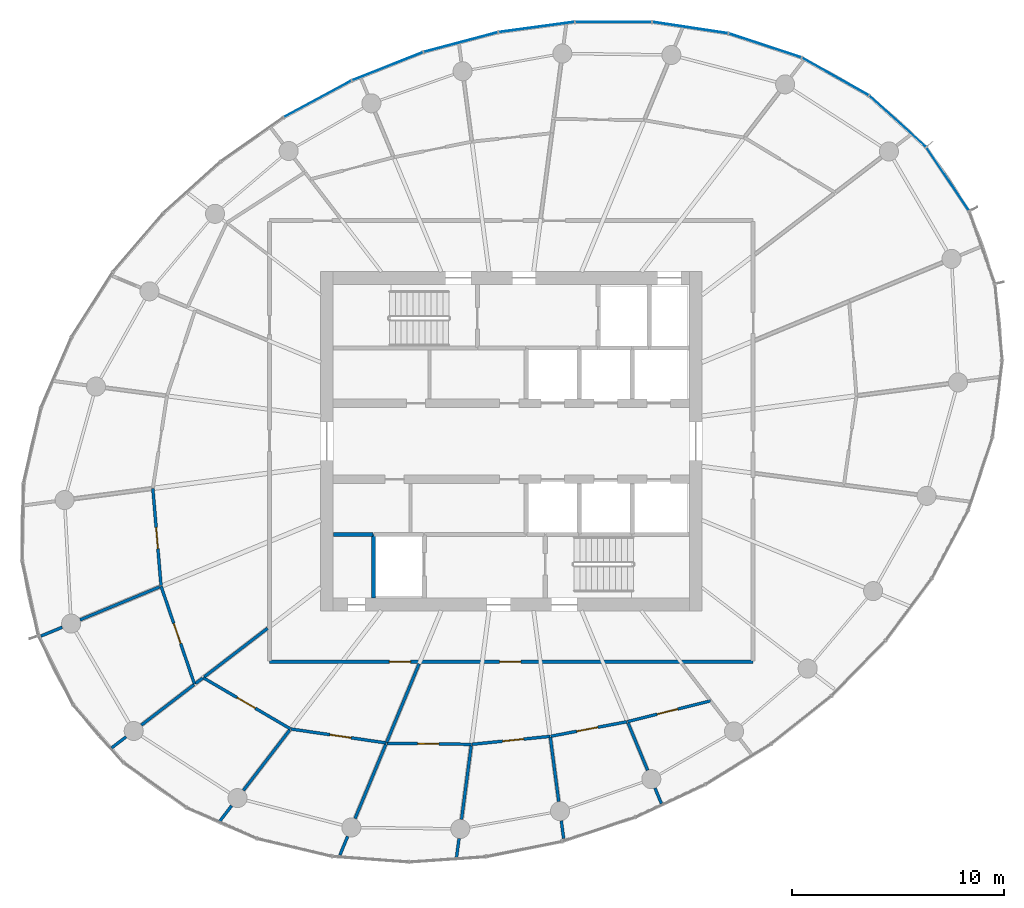
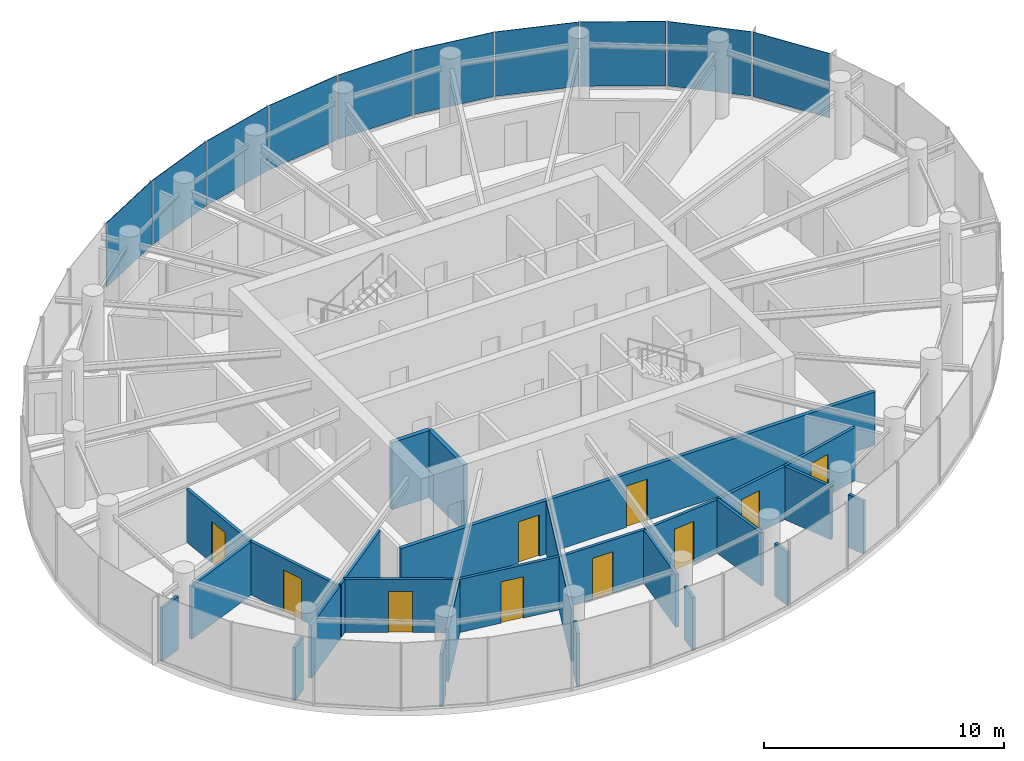
# One storey, part 8 of 14: 28 walls, 10 doors, 10 plates, 10 openings, 2 elements without a shape of their own.
"""IFC4 building model written with IfcOpenShell, lengths in metres."""

from ifc_helpers import new_model, si_unit, direction, frame, frame_2d, origin, origin_2d, place, context, subcontext, project, spatial, rectangle, extrude, source, transform, mapped, material, layer, layer_set, type_object, element, fill, aggregate, save


model = new_model("IFC4")

# Units and contexts
model_context = context("Model", 3, precision=1e-05, world=origin(), true_north=direction((0.0, 1.0)))
body_context = subcontext(model_context, "Body", "Model", "MODEL_VIEW")
ifc_project = project(units=[si_unit("LENGTHUNIT", "METRE"), si_unit("AREAUNIT", "SQUARE_METRE"), si_unit("VOLUMEUNIT", "CUBIC_METRE"), si_unit("PLANEANGLEUNIT", "RADIAN"), si_unit("MASSUNIT", "GRAM", prefix="KILO")], contexts=[model_context])

# Site, building, storey
site_placement = place(None, origin())
site = spatial("IfcSite", under=ifc_project, at=site_placement, CompositionType="ELEMENT")
building_placement = place(site_placement, origin())
building = spatial("IfcBuilding", under=site, at=building_placement, Name="Spindrift Exchange Tower", CompositionType="ELEMENT")
storey_placement = place(building_placement, frame((0.0, 0.0, 226.699951171875)))
storey = spatial("IfcBuildingStorey", under=building, at=storey_placement, Name="L55", CompositionType="ELEMENT", Elevation=226.699951171875)

# Curtain wall, plates
ifc_material_1 = material(Name="Fritted laminated glass with bronze frame", Category="glass")
ifc_layer_1 = layer(ifc_material_1, 0.169921875)
ifc_layer_set_1 = layer_set([ifc_layer_1], Name="ZONE 4 BRONZE FRITTED WALL")
curtain_wall_type = type_object("IfcCurtainWallType", Name="ZONE 4 BRONZE FRITTED WALL", PredefinedType="NOTDEFINED", material=ifc_layer_set_1)
curtain_wall_1_placement = place(storey_placement, origin())
curtain_wall_1 = element("IfcCurtainWall", 1, at=curtain_wall_1_placement, inside=storey, type_object=curtain_wall_type, Name="L55 Zone 4 Bronze Fritted Wall run 1", PredefinedType="NOTDEFINED")
ifc_material_2 = material(Name="Bronze fritted laminated glass, open frit", Category="glass")
ifc_layer_2 = layer(ifc_material_2, 0.030029296875)
ifc_layer_set_2 = layer_set([ifc_layer_2], Name="ZONE 4 BRONZE FRITTED WALL PANEL OPEN FRIT 600")
plate_type_1 = type_object("IfcPlateType", Name="ZONE 4 BRONZE FRITTED WALL PANEL OPEN FRIT 600", PredefinedType="CURTAIN_PANEL", material=ifc_layer_set_2)
shared_shape_1 = source(origin(), body_context, "Body", "SweptSolid", [
    extrude(rectangle(XDim=3.5703125, YDim=0.030029296875, at=origin_2d()), origin(), (0.0, 0.0, 1.0), 3.27490234375),
])
plate_1_placement = place(storey_placement, frame((72.57421875, 60.354736328125, 0.125), z_axis=(0.0, 0.0, 1.0), x_axis=(-0.558199899642, 0.829706497527, 0.0)))
plate_1 = element("IfcPlate", 2, at=plate_1_placement, type_object=plate_type_1, Name="L55 panel CW-4.1", PredefinedType="CURTAIN_PANEL", context=body_context, shape_type="MappedRepresentation", body=[
    mapped(shared_shape_1, transform((0.0, 0.0, 0.0), scale=1.0)),
])
shared_shape_2 = source(origin(), body_context, "Body", "SweptSolid", [
    extrude(rectangle(XDim=3.571533203125, YDim=0.030029296875, at=origin_2d()), origin(), (0.0, 0.0, 1.0), 3.27490234375),
])
plate_2_placement = place(storey_placement, frame((70.210205078125, 63.081298828125, 0.125), z_axis=(0.0, 0.0, 1.0), x_axis=(-0.742225024234, 0.670150739312, 0.0)))
plate_2 = element("IfcPlate", 3, at=plate_2_placement, type_object=plate_type_1, Name="L55 panel CW-4.2", PredefinedType="CURTAIN_PANEL", context=body_context, shape_type="MappedRepresentation", body=[
    mapped(shared_shape_2, transform((0.0, 0.0, 0.0), scale=1.0)),
])
ifc_layer_3 = layer(ifc_material_2, 0.030029296875)
ifc_layer_set_3 = layer_set([ifc_layer_3], Name="ZONE 4 BRONZE FRITTED WALL PANEL OPEN FRIT 480")
plate_type_2 = type_object("IfcPlateType", Name="ZONE 4 BRONZE FRITTED WALL PANEL OPEN FRIT 480", PredefinedType="CURTAIN_PANEL", material=ifc_layer_set_3)
shared_shape_3 = source(origin(), body_context, "Body", "SweptSolid", [
    extrude(rectangle(XDim=3.573486328125, YDim=0.030029296875, at=origin_2d()), origin(), (0.0, 0.0, 1.0), 3.27490234375),
])
plate_3_placement = place(storey_placement, frame((67.275634765625, 65.19287109375, 0.125), z_axis=(0.0, 0.0, 1.0), x_axis=(-0.871230946363, 0.490873342217, 0.0)))
plate_3 = element("IfcPlate", 4, at=plate_3_placement, type_object=plate_type_2, Name="L55 panel CW-4.3", PredefinedType="CURTAIN_PANEL", context=body_context, shape_type="MappedRepresentation", body=[
    mapped(shared_shape_3, transform((0.0, 0.0, 0.0), scale=1.0)),
])
shared_shape_4 = source(origin(), body_context, "Body", "SweptSolid", [
    extrude(rectangle(XDim=3.574951171875, YDim=0.030029296875, at=origin_2d()), origin(), (0.0, 0.0, 1.0), 3.27490234375),
])
plate_4_placement = place(storey_placement, frame((63.962646484375, 66.656494140625, 0.125), z_axis=(0.0, 0.0, 1.0), x_axis=(-0.949561297713, 0.313581475672, 0.0)))
plate_4 = element("IfcPlate", 5, at=plate_4_placement, type_object=plate_type_1, Name="L55 panel CW-4.4", PredefinedType="CURTAIN_PANEL", context=body_context, shape_type="MappedRepresentation", body=[
    mapped(shared_shape_4, transform((0.0, 0.0, 0.0), scale=1.0)),
])
ifc_layer_4 = layer(ifc_material_2, 0.030029296875)
ifc_layer_set_4 = layer_set([ifc_layer_4], Name="ZONE 4 BRONZE FRITTED WALL PANEL OPEN FRIT 360")
plate_type_3 = type_object("IfcPlateType", Name="ZONE 4 BRONZE FRITTED WALL PANEL OPEN FRIT 360", PredefinedType="CURTAIN_PANEL", material=ifc_layer_set_4)
shared_shape_5 = source(origin(), body_context, "Body", "SweptSolid", [
    extrude(rectangle(XDim=3.576171875, YDim=0.030029296875, at=origin_2d()), origin(), (0.0, 0.0, 1.0), 3.27490234375),
])
plate_5_placement = place(storey_placement, frame((60.43408203125, 67.498779296875, 0.125), z_axis=(0.0, 0.0, 1.0), x_axis=(-0.98881346528, 0.149157403039, 0.0)))
plate_5 = element("IfcPlate", 6, at=plate_5_placement, type_object=plate_type_3, Name="L55 panel CW-4.5", PredefinedType="CURTAIN_PANEL", context=body_context, shape_type="MappedRepresentation", body=[
    mapped(shared_shape_5, transform((0.0, 0.0, 0.0), scale=1.0)),
])
shared_shape_6 = source(origin(), body_context, "Body", "SweptSolid", [
    extrude(rectangle(XDim=3.576904296875, YDim=0.030029296875, at=origin_2d()), origin(), (0.0, 0.0, 1.0), 3.27490234375),
])
plate_6_placement = place(storey_placement, frame((56.81298828125, 67.77099609375, 0.125), z_axis=(0.0, 0.0, 1.0), x_axis=(-0.999999935992, 0.000357792489, 0.0)))
plate_6 = element("IfcPlate", 7, at=plate_6_placement, type_object=plate_type_1, Name="L55 panel CW-4.6", PredefinedType="CURTAIN_PANEL", context=body_context, shape_type="MappedRepresentation", body=[
    mapped(shared_shape_6, transform((0.0, 0.0, 0.0), scale=1.0)),
])
aggregate(curtain_wall_1, [plate_1, plate_2, plate_3, plate_4, plate_5, plate_6])

curtain_wall_2_placement = place(storey_placement, origin())
curtain_wall_2 = element("IfcCurtainWall", 8, at=curtain_wall_2_placement, inside=storey, type_object=curtain_wall_type, Name="L55 Zone 4 Bronze Fritted Wall run 2", PredefinedType="NOTDEFINED")
shared_shape_7 = source(origin(), body_context, "Body", "SweptSolid", [
    extrude(rectangle(XDim=3.577392578125, YDim=0.030029296875, at=origin_2d()), origin(), (0.0, 0.0, 1.0), 3.27490234375),
])
plate_7_placement = place(storey_placement, frame((53.1875, 67.527587890625, 0.125), z_axis=(0.0, 0.0, 1.0), x_axis=(-0.990973141374, -0.134060557495, 0.0)))
plate_7 = element("IfcPlate", 9, at=plate_7_placement, type_object=plate_type_3, Name="L55 panel CW-4.7", PredefinedType="CURTAIN_PANEL", context=body_context, shape_type="MappedRepresentation", body=[
    mapped(shared_shape_7, transform((0.0, 0.0, 0.0), scale=1.0)),
])
shared_shape_8 = source(origin(), body_context, "Body", "SweptSolid", [
    extrude(rectangle(XDim=3.57763671875, YDim=0.030029296875, at=origin_2d()), origin(), (0.0, 0.0, 1.0), 3.27490234375),
])
plate_8_placement = place(storey_placement, frame((49.622314453125, 66.816162109375, 0.125), z_axis=(0.0, 0.0, 1.0), x_axis=(-0.966560727394, -0.256437829228, 0.0)))
plate_8 = element("IfcPlate", 10, at=plate_8_placement, type_object=plate_type_3, Name="L55 panel CW-4.8", PredefinedType="CURTAIN_PANEL", context=body_context, shape_type="MappedRepresentation", body=[
    mapped(shared_shape_8, transform((0.0, 0.0, 0.0), scale=1.0)),
])
shared_shape_9 = source(origin(), body_context, "Body", "SweptSolid", [
    extrude(rectangle(XDim=3.577880859375, YDim=0.030029296875, at=origin_2d()), origin(), (0.0, 0.0, 1.0), 3.27490234375),
])
plate_9_placement = place(storey_placement, frame((46.169189453125, 65.676513671875, 0.125), z_axis=(0.0, 0.0, 1.0), x_axis=(-0.929331843322, -0.36924561607, 0.0)))
plate_9 = element("IfcPlate", 11, at=plate_9_placement, type_object=plate_type_2, Name="L55 panel CW-4.9", PredefinedType="CURTAIN_PANEL", context=body_context, shape_type="MappedRepresentation", body=[
    mapped(shared_shape_9, transform((0.0, 0.0, 0.0), scale=1.0)),
])
shared_shape_10 = source(origin(), body_context, "Body", "SweptSolid", [
    extrude(rectangle(XDim=3.577880859375, YDim=0.030029296875, at=origin_2d()), origin(), (0.0, 0.0, 1.0), 3.27490234375),
])
plate_10_placement = place(storey_placement, frame((42.873291015625, 64.139404296875, 0.125), z_axis=(0.0, 0.0, 1.0), x_axis=(-0.880140363307, -0.474713535596, 0.0)))
plate_10 = element("IfcPlate", 12, at=plate_10_placement, type_object=plate_type_1, Name="L55 panel CW-4.10", PredefinedType="CURTAIN_PANEL", context=body_context, shape_type="MappedRepresentation", body=[
    mapped(shared_shape_10, transform((0.0, 0.0, 0.0), scale=1.0)),
])
aggregate(curtain_wall_2, [plate_7, plate_8, plate_9, plate_10])

# Wall, openings, doors
ifc_material_3 = material(Name="Fire-rated plasterboard partition", Category="gypsum")
ifc_layer_5 = layer(ifc_material_3, 0.179931640625)
ifc_layer_set_5 = layer_set([ifc_layer_5], Name="W-CORR-180")
wall_type_1 = type_object("IfcWallType", Name="W-CORR-180", PredefinedType="PARTITIONING", material=ifc_layer_set_5)
wall_1_placement = place(storey_placement, frame((63.39990234375, 37.60009765625, 0.0), z_axis=(0.0, 0.0, 1.0), x_axis=(-1.0, 0.0, 0.0)))
wall_1 = element("IfcWall", 13, at=wall_1_placement, inside=storey, type_object=wall_type_1, Name="L55 Partition wall 28", PredefinedType="PARTITIONING", context=body_context, shape_type="SweptSolid", body=[
    extrude(rectangle(XDim=22.7998046875, YDim=0.179931640625, at=frame_2d((11.39990234375, 0.0))), origin(), (0.0, 0.0, 1.0), 2.699951171875),
])
opening_1_placement = place(wall_1_placement, frame((16.14990234375, 0.0, 0.0)))
opening_1 = element("IfcOpeningElement", 14, at=opening_1_placement, cuts=wall_1, Name="Opening L55-D26", PredefinedType="OPENING", context=body_context, shape_type="SweptSolid", body=[
    extrude(rectangle(XDim=1.0, YDim=2.10009765625, at=frame_2d((0.5, 1.050048828125))), frame((0.0, 0.099853515625, 0.0), z_axis=(0.0, -1.0, 0.0), x_axis=(1.0, 0.0, 0.0)), (0.0, 0.0, 1.0), 0.199951171875),
])
opening_2_placement = place(wall_1_placement, frame((10.949951171875, 0.0, 0.0)))
opening_2 = element("IfcOpeningElement", 15, at=opening_2_placement, cuts=wall_1, Name="Opening L55-D29", PredefinedType="OPENING", context=body_context, shape_type="SweptSolid", body=[
    extrude(rectangle(XDim=1.0, YDim=2.10009765625, at=frame_2d((0.5, 1.050048828125))), frame((0.0, 0.099853515625, 0.0), z_axis=(0.0, -1.0, 0.0), x_axis=(1.0, 0.0, 0.0)), (0.0, 0.0, 1.0), 0.199951171875),
])
ifc_material_4 = material(Name="Timber-core fire door", Category="wood")
door_type = type_object("IfcDoorType", Name="DR-ROOM-1000", OperationType="NOTDEFINED", PredefinedType="DOOR", material=ifc_material_4)
shared_shape_11 = source(origin(), body_context, "Body", "SweptSolid", [
    extrude(rectangle(XDim=1.0, YDim=2.10009765625, at=frame_2d((0.5, 1.050048828125))), frame((0.0, 0.02490234375, 0.0), z_axis=(0.0, -1.0, 0.0), x_axis=(1.0, 0.0, 0.0)), (0.0, 0.0, 1.0), 0.050048828125),
])
door_1_placement = place(opening_1_placement, origin())
door_1 = element("IfcDoor", 16, at=door_1_placement, inside=storey, type_object=door_type, Name="L55 Door 26", OperationType="SINGLE_SWING_RIGHT", OverallHeight=2.10009765625, OverallWidth=1.0, PredefinedType="DOOR", context=body_context, shape_type="MappedRepresentation", body=[
    mapped(shared_shape_11, transform((0.0, 0.0, 0.0), scale=1.0)),
])
fill(opening_1, door_1)
door_2_placement = place(opening_2_placement, origin())
door_2 = element("IfcDoor", 17, at=door_2_placement, inside=storey, type_object=door_type, Name="L55 Door 29", OperationType="SINGLE_SWING_LEFT", OverallHeight=2.10009765625, OverallWidth=1.0, PredefinedType="DOOR", context=body_context, shape_type="MappedRepresentation", body=[
    mapped(shared_shape_11, transform((0.0, 0.0, 0.0), scale=1.0)),
])
fill(opening_2, door_2)

# Wall, opening, door
ifc_layer_6 = layer(ifc_material_3, 0.139892578125)
ifc_layer_set_6 = layer_set([ifc_layer_6], Name="W-PART-140")
wall_type_2 = type_object("IfcWallType", Name="W-PART-140", PredefinedType="PARTITIONING", material=ifc_layer_set_6)
wall_2_placement = place(storey_placement, frame((37.066162109375, 36.541015625, 0.0), z_axis=(0.0, 0.0, 1.0), x_axis=(-0.323330654383, 0.946286049742, 0.0)))
wall_2 = element("IfcWall", 18, at=wall_2_placement, inside=storey, type_object=wall_type_2, Name="L55 Partition wall 33", PredefinedType="PARTITIONING", context=body_context, shape_type="SweptSolid", body=[
    extrude(rectangle(XDim=4.881591796875, YDim=0.139892578125, at=frame_2d((2.44091796875, 0.0))), origin(), (0.0, 0.0, 1.0), 2.699951171875),
])
opening_3_placement = place(wall_2_placement, frame((2.03173828125, 0.0, 0.0)))
opening_3 = element("IfcOpeningElement", 19, at=opening_3_placement, cuts=wall_2, Name="Opening L55-D25", PredefinedType="OPENING", context=body_context, shape_type="SweptSolid", body=[
    extrude(rectangle(XDim=1.0, YDim=2.10009765625, at=frame_2d((0.5, 1.050048828125))), frame((0.0, 0.079833984375, 0.0), z_axis=(0.0, -1.0, 0.0), x_axis=(1.0, 0.0, 0.0)), (0.0, 0.0, 1.0), 0.159912109375),
])
door_3_placement = place(opening_3_placement, origin())
door_3 = element("IfcDoor", 20, at=door_3_placement, inside=storey, type_object=door_type, Name="L55 Door 25", OperationType="SINGLE_SWING_LEFT", OverallHeight=2.10009765625, OverallWidth=1.0, PredefinedType="DOOR", context=body_context, shape_type="MappedRepresentation", body=[
    mapped(shared_shape_11, transform((0.0, 0.0, 0.0), scale=1.0)),
])
fill(opening_3, door_3)

wall_3_placement = place(storey_placement, frame((41.591796875, 34.435791015625, 0.0), z_axis=(0.0, 0.0, 1.0), x_axis=(-0.862711041689, 0.505697200455, 0.0)))
wall_3 = element("IfcWall", 21, at=wall_3_placement, inside=storey, type_object=wall_type_2, Name="L55 Partition wall 36", PredefinedType="PARTITIONING", context=body_context, shape_type="SweptSolid", body=[
    extrude(rectangle(XDim=4.776611328125, YDim=0.139892578125, at=frame_2d((2.38818359375, 0.0))), origin(), (0.0, 0.0, 1.0), 2.699951171875),
])
opening_4_placement = place(wall_3_placement, frame((1.9267578125, 0.0, 0.0)))
opening_4 = element("IfcOpeningElement", 22, at=opening_4_placement, cuts=wall_3, Name="Opening L55-D27", PredefinedType="OPENING", context=body_context, shape_type="SweptSolid", body=[
    extrude(rectangle(XDim=1.0, YDim=2.10009765625, at=frame_2d((0.5, 1.050048828125))), frame((0.0, 0.079833984375, 0.0), z_axis=(0.0, -1.0, 0.0), x_axis=(1.0, 0.0, 0.0)), (0.0, 0.0, 1.0), 0.159912109375),
])
door_4_placement = place(opening_4_placement, origin())
door_4 = element("IfcDoor", 23, at=door_4_placement, inside=storey, type_object=door_type, Name="L55 Door 27", OperationType="SINGLE_SWING_LEFT", OverallHeight=2.10009765625, OverallWidth=1.0, PredefinedType="DOOR", context=body_context, shape_type="MappedRepresentation", body=[
    mapped(shared_shape_11, transform((0.0, 0.0, 0.0), scale=1.0)),
])
fill(opening_4, door_4)

wall_4_placement = place(storey_placement, frame((35.4853515625, 41.190185546875, 0.0), z_axis=(0.0, 0.0, 1.0), x_axis=(-0.083840307862, 0.996479203384, 0.0)))
wall_4 = element("IfcWall", 24, at=wall_4_placement, inside=storey, type_object=wall_type_2, Name="L55 Partition wall 38", PredefinedType="PARTITIONING", context=body_context, shape_type="SweptSolid", body=[
    extrude(rectangle(XDim=4.600830078125, YDim=0.139892578125, at=frame_2d((2.30029296875, 0.0))), origin(), (0.0, 0.0, 1.0), 2.699951171875),
])
opening_5_placement = place(wall_4_placement, frame((1.7509765625, 0.0, 0.0)))
opening_5 = element("IfcOpeningElement", 25, at=opening_5_placement, cuts=wall_4, Name="Opening L55-D24", PredefinedType="OPENING", context=body_context, shape_type="SweptSolid", body=[
    extrude(rectangle(XDim=1.0, YDim=2.10009765625, at=frame_2d((0.5, 1.050048828125))), frame((0.0, 0.079833984375, 0.0), z_axis=(0.0, -1.0, 0.0), x_axis=(1.0, 0.0, 0.0)), (0.0, 0.0, 1.0), 0.159912109375),
])
door_5_placement = place(opening_5_placement, origin())
door_5 = element("IfcDoor", 26, at=door_5_placement, inside=storey, type_object=door_type, Name="L55 Door 24", OperationType="SINGLE_SWING_RIGHT", OverallHeight=2.10009765625, OverallWidth=1.0, PredefinedType="DOOR", context=body_context, shape_type="MappedRepresentation", body=[
    mapped(shared_shape_11, transform((0.0, 0.0, 0.0), scale=1.0)),
])
fill(opening_5, door_5)

wall_5_placement = place(storey_placement, frame((46.107421875, 33.773681640625, 0.0), z_axis=(0.0, 0.0, 1.0), x_axis=(-0.989422644007, 0.145061474991, 0.0)))
wall_5 = element("IfcWall", 27, at=wall_5_placement, inside=storey, type_object=wall_type_2, Name="L55 Partition wall 39", PredefinedType="PARTITIONING", context=body_context, shape_type="SweptSolid", body=[
    extrude(rectangle(XDim=4.533935546875, YDim=0.139892578125, at=frame_2d((2.26708984375, 0.0))), origin(), (0.0, 0.0, 1.0), 2.699951171875),
])
opening_6_placement = place(wall_5_placement, frame((1.683837890625, 0.0, 0.0)))
opening_6 = element("IfcOpeningElement", 28, at=opening_6_placement, cuts=wall_5, Name="Opening L55-D28", PredefinedType="OPENING", context=body_context, shape_type="SweptSolid", body=[
    extrude(rectangle(XDim=1.0, YDim=2.10009765625, at=frame_2d((0.5, 1.050048828125))), frame((0.0, 0.079833984375, 0.0), z_axis=(0.0, -1.0, 0.0), x_axis=(1.0, 0.0, 0.0)), (0.0, 0.0, 1.0), 0.159912109375),
])
door_6_placement = place(opening_6_placement, origin())
door_6 = element("IfcDoor", 29, at=door_6_placement, inside=storey, type_object=door_type, Name="L55 Door 28", OperationType="SINGLE_SWING_RIGHT", OverallHeight=2.10009765625, OverallWidth=1.0, PredefinedType="DOOR", context=body_context, shape_type="MappedRepresentation", body=[
    mapped(shared_shape_11, transform((0.0, 0.0, 0.0), scale=1.0)),
])
fill(opening_6, door_6)

# Walls
wall_6_placement = place(storey_placement, frame((47.65478515625, 37.510009765625, 0.0), z_axis=(0.0, 0.0, 1.0), x_axis=(-0.382636499574, -0.923898971313, 0.0)))
element("IfcWall", 30, at=wall_6_placement, inside=storey, type_object=wall_type_2, Name="L55 Partition wall 50", PredefinedType="PARTITIONING", context=body_context, shape_type="SweptSolid", body=[
    extrude(rectangle(XDim=4.013916015625, YDim=0.139892578125, at=frame_2d((2.0068359375, 0.0))), origin(), (0.0, 0.0, 1.0), 2.699951171875),
])
wall_7_placement = place(storey_placement, frame((35.423095703125, 41.133544921875, 0.0), z_axis=(0.0, 0.0, 1.0), x_axis=(-0.923885083547, -0.382670030705, 0.0)))
element("IfcWall", 31, at=wall_7_placement, inside=storey, type_object=wall_type_2, Name="L55 Partition wall 51", PredefinedType="PARTITIONING", context=body_context, shape_type="SweptSolid", body=[
    extrude(rectangle(XDim=4.065185546875, YDim=0.139892578125, at=frame_2d((2.03271484375, 0.0))), origin(), (0.0, 0.0, 1.0), 2.699951171875),
])

# Wall, opening, door
wall_8_placement = place(storey_placement, frame((61.39208984375, 35.760009765625, 0.0), z_axis=(0.0, 0.0, 1.0), x_axis=(-0.970103355672, -0.242692149262, 0.0)))
wall_8 = element("IfcWall", 32, at=wall_8_placement, inside=storey, type_object=wall_type_2, Name="L55 Partition wall 53", PredefinedType="PARTITIONING", context=body_context, shape_type="SweptSolid", body=[
    extrude(rectangle(XDim=4.036865234375, YDim=0.139892578125, at=frame_2d((2.0185546875, 0.0))), origin(), (0.0, 0.0, 1.0), 2.699951171875),
])
opening_7_placement = place(wall_8_placement, frame((1.587158203125, 0.0, 0.0)))
opening_7 = element("IfcOpeningElement", 33, at=opening_7_placement, cuts=wall_8, Name="Opening L55-D33", PredefinedType="OPENING", context=body_context, shape_type="SweptSolid", body=[
    extrude(rectangle(XDim=1.0, YDim=2.10009765625, at=frame_2d((0.5, 1.050048828125))), frame((0.0, 0.079833984375, 0.0), z_axis=(0.0, -1.0, 0.0), x_axis=(1.0, 0.0, 0.0)), (0.0, 0.0, 1.0), 0.159912109375),
])
door_7_placement = place(opening_7_placement, origin())
door_7 = element("IfcDoor", 34, at=door_7_placement, inside=storey, type_object=door_type, Name="L55 Door 33", OperationType="SINGLE_SWING_LEFT", OverallHeight=2.10009765625, OverallWidth=1.0, PredefinedType="DOOR", context=body_context, shape_type="MappedRepresentation", body=[
    mapped(shared_shape_11, transform((0.0, 0.0, 0.0), scale=1.0)),
])
fill(opening_7, door_7)

wall_9_placement = place(storey_placement, frame((50.118408203125, 33.708251953125, 0.0), z_axis=(0.0, 0.0, 1.0), x_axis=(-0.999921931992, 0.012495195965, 0.0)))
wall_9 = element("IfcWall", 35, at=wall_9_placement, inside=storey, type_object=wall_type_2, Name="L55 Partition wall 54", PredefinedType="PARTITIONING", context=body_context, shape_type="SweptSolid", body=[
    extrude(rectangle(XDim=3.98583984375, YDim=0.139892578125, at=frame_2d((1.992919921875, 0.0))), origin(), (0.0, 0.0, 1.0), 2.699951171875),
])
opening_8_placement = place(wall_9_placement, frame((1.535888671875, 0.0, 0.0)))
opening_8 = element("IfcOpeningElement", 36, at=opening_8_placement, cuts=wall_9, Name="Opening L55-D30", PredefinedType="OPENING", context=body_context, shape_type="SweptSolid", body=[
    extrude(rectangle(XDim=1.0, YDim=2.10009765625, at=frame_2d((0.5, 1.050048828125))), frame((0.0, 0.079833984375, 0.0), z_axis=(0.0, -1.0, 0.0), x_axis=(1.0, 0.0, 0.0)), (0.0, 0.0, 1.0), 0.159912109375),
])
door_8_placement = place(opening_8_placement, origin())
door_8 = element("IfcDoor", 37, at=door_8_placement, inside=storey, type_object=door_type, Name="L55 Door 30", OperationType="SINGLE_SWING_RIGHT", OverallHeight=2.10009765625, OverallWidth=1.0, PredefinedType="DOOR", context=body_context, shape_type="MappedRepresentation", body=[
    mapped(shared_shape_11, transform((0.0, 0.0, 0.0), scale=1.0)),
])
fill(opening_8, door_8)

# Walls
wall_10_placement = place(storey_placement, frame((40.510009765625, 39.183349609375, 0.0), z_axis=(0.0, 0.0, 1.0), x_axis=(-0.793375044347, -0.608733142688, 0.0)))
element("IfcWall", 38, at=wall_10_placement, inside=storey, type_object=wall_type_2, Name="L55 Partition wall 55", PredefinedType="PARTITIONING", context=body_context, shape_type="SweptSolid", body=[
    extrude(rectangle(XDim=3.755126953125, YDim=0.139892578125, at=frame_2d((1.87744140625, 0.0))), origin(), (0.0, 0.0, 1.0), 2.699951171875),
])
wall_11_placement = place(storey_placement, frame((46.07958984375, 33.70703125, 0.0), z_axis=(0.0, 0.0, 1.0), x_axis=(-0.382686051964, -0.923878447434, 0.0)))
element("IfcWall", 39, at=wall_11_placement, inside=storey, type_object=wall_type_2, Name="L55 Partition wall 56", PredefinedType="PARTITIONING", context=body_context, shape_type="SweptSolid", body=[
    extrude(rectangle(XDim=3.784423828125, YDim=0.139892578125, at=frame_2d((1.89208984375, 0.0))), origin(), (0.0, 0.0, 1.0), 2.699951171875),
])

# Wall, opening, door
wall_12_placement = place(storey_placement, frame((53.831787109375, 34.085205078125, 0.0), z_axis=(0.0, 0.0, 1.0), x_axis=(-0.994884574055, -0.101018237503, 0.0)))
wall_12 = element("IfcWall", 40, at=wall_12_placement, inside=storey, type_object=wall_type_2, Name="L55 Partition wall 61", PredefinedType="PARTITIONING", context=body_context, shape_type="SweptSolid", body=[
    extrude(rectangle(XDim=3.70263671875, YDim=0.139892578125, at=frame_2d((1.851318359375, 0.0))), origin(), (0.0, 0.0, 1.0), 2.699951171875),
])
opening_9_placement = place(wall_12_placement, frame((1.252685546875, 0.0, 0.0)))
opening_9 = element("IfcOpeningElement", 41, at=opening_9_placement, cuts=wall_12, Name="Opening L55-D31", PredefinedType="OPENING", context=body_context, shape_type="SweptSolid", body=[
    extrude(rectangle(XDim=1.0, YDim=2.10009765625, at=frame_2d((0.5, 1.050048828125))), frame((0.0, 0.079833984375, 0.0), z_axis=(0.0, -1.0, 0.0), x_axis=(1.0, 0.0, 0.0)), (0.0, 0.0, 1.0), 0.159912109375),
])
door_9_placement = place(opening_9_placement, origin())
door_9 = element("IfcDoor", 42, at=door_9_placement, inside=storey, type_object=door_type, Name="L55 Door 31", OperationType="SINGLE_SWING_LEFT", OverallHeight=2.10009765625, OverallWidth=1.0, PredefinedType="DOOR", context=body_context, shape_type="MappedRepresentation", body=[
    mapped(shared_shape_11, transform((0.0, 0.0, 0.0), scale=1.0)),
])
fill(opening_9, door_9)

wall_13_placement = place(storey_placement, frame((57.4462890625, 34.774658203125, 0.0), z_axis=(0.0, 0.0, 1.0), x_axis=(-0.982288762834, -0.18737338768, 0.0)))
wall_13 = element("IfcWall", 43, at=wall_13_placement, inside=storey, type_object=wall_type_2, Name="L55 Partition wall 62", PredefinedType="PARTITIONING", context=body_context, shape_type="SweptSolid", body=[
    extrude(rectangle(XDim=3.649658203125, YDim=0.139892578125, at=frame_2d((1.82470703125, 0.0))), origin(), (0.0, 0.0, 1.0), 2.699951171875),
])
opening_10_placement = place(wall_13_placement, frame((1.399658203125, 0.0, 0.0)))
opening_10 = element("IfcOpeningElement", 44, at=opening_10_placement, cuts=wall_13, Name="Opening L55-D32", PredefinedType="OPENING", context=body_context, shape_type="SweptSolid", body=[
    extrude(rectangle(XDim=1.0, YDim=2.10009765625, at=frame_2d((0.5, 1.050048828125))), frame((0.0, 0.079833984375, 0.0), z_axis=(0.0, -1.0, 0.0), x_axis=(1.0, 0.0, 0.0)), (0.0, 0.0, 1.0), 0.159912109375),
])
door_10_placement = place(opening_10_placement, origin())
door_10 = element("IfcDoor", 45, at=door_10_placement, inside=storey, type_object=door_type, Name="L55 Door 32", OperationType="SINGLE_SWING_RIGHT", OverallHeight=2.10009765625, OverallWidth=1.0, PredefinedType="DOOR", context=body_context, shape_type="MappedRepresentation", body=[
    mapped(shared_shape_11, transform((0.0, 0.0, 0.0), scale=1.0)),
])
fill(opening_10, door_10)

# Walls
wall_14_placement = place(storey_placement, frame((41.548828125, 34.3798828125, 0.0), z_axis=(0.0, 0.0, 1.0), x_axis=(-0.608751958666, -0.793360607051, 0.0)))
element("IfcWall", 46, at=wall_14_placement, inside=storey, type_object=wall_type_2, Name="L55 Partition wall 63", PredefinedType="PARTITIONING", context=body_context, shape_type="SweptSolid", body=[
    extrude(rectangle(XDim=3.58251953125, YDim=0.139892578125, at=frame_2d((1.791259765625, 0.0))), origin(), (0.0, 0.0, 1.0), 2.699951171875),
])
wall_15_placement = place(storey_placement, frame((50.109375, 33.63818359375, 0.0), z_axis=(0.0, 0.0, 1.0), x_axis=(-0.130599038576, -0.991435268247, 0.0)))
element("IfcWall", 47, at=wall_15_placement, inside=storey, type_object=wall_type_2, Name="L55 Partition wall 64", PredefinedType="PARTITIONING", context=body_context, shape_type="SweptSolid", body=[
    extrude(rectangle(XDim=3.495849609375, YDim=0.139892578125, at=frame_2d((1.748046875, 0.0))), origin(), (0.0, 0.0, 1.0), 2.699951171875),
])
wall_16_placement = place(storey_placement, frame((37.04248046875, 36.522705078125, 0.0), z_axis=(0.0, 0.0, 1.0), x_axis=(-0.7933452348, -0.608771992145, 0.0)))
element("IfcWall", 48, at=wall_16_placement, inside=storey, type_object=wall_type_2, Name="L55 Partition wall 66", PredefinedType="PARTITIONING", context=body_context, shape_type="SweptSolid", body=[
    extrude(rectangle(XDim=3.130859375, YDim=0.139892578125, at=frame_2d((1.5654296875, 0.0))), origin(), (0.0, 0.0, 1.0), 2.699951171875),
])
wall_17_placement = place(storey_placement, frame((53.835693359375, 34.055419921875, 0.0), z_axis=(0.0, 0.0, 1.0), x_axis=(0.130581901297, -0.991437525542, 0.0)))
element("IfcWall", 49, at=wall_17_placement, inside=storey, type_object=wall_type_2, Name="L55 Partition wall 67", PredefinedType="PARTITIONING", context=body_context, shape_type="SweptSolid", body=[
    extrude(rectangle(XDim=3.07373046875, YDim=0.139892578125, at=frame_2d((1.536865234375, 0.0))), origin(), (0.0, 0.0, 1.0), 2.699951171875),
])
wall_18_placement = place(storey_placement, frame((57.502685546875, 34.71484375, 0.0), z_axis=(0.0, 0.0, 1.0), x_axis=(0.382736621099, -0.923857499222, 0.0)))
element("IfcWall", 50, at=wall_18_placement, inside=storey, type_object=wall_type_2, Name="L55 Partition wall 74", PredefinedType="PARTITIONING", context=body_context, shape_type="SweptSolid", body=[
    extrude(rectangle(XDim=2.4091796875, YDim=0.139892578125, at=frame_2d((1.20458984375, 0.0))), origin(), (0.0, 0.0, 1.0), 2.699951171875),
])
wall_19_placement = place(storey_placement, frame((30.826416015625, 39.229736328125, 0.0), z_axis=(0.0, 0.0, 1.0), x_axis=(-0.923885455133, -0.382669133579, 0.0)))
element("IfcWall", 51, at=wall_19_placement, inside=storey, type_object=wall_type_2, Name="L55 Partition wall 88", PredefinedType="PARTITIONING", context=body_context, shape_type="SweptSolid", body=[
    extrude(rectangle(XDim=1.087158203125, YDim=0.139892578125, at=frame_2d((0.54345703125, 0.0))), origin(), (0.0, 0.0, 1.0), 2.699951171875),
])
wall_20_placement = place(storey_placement, frame((44.283203125, 29.369873046875, 0.0), z_axis=(0.0, 0.0, 1.0), x_axis=(-0.382721574091, -0.923863732769, 0.0)))
element("IfcWall", 52, at=wall_20_placement, inside=storey, type_object=wall_type_2, Name="L55 Partition wall 90", PredefinedType="PARTITIONING", context=body_context, shape_type="SweptSolid", body=[
    extrude(rectangle(XDim=0.952392578125, YDim=0.139892578125, at=frame_2d((0.47607421875, 0.0))), origin(), (0.0, 0.0, 1.0), 2.699951171875),
])
wall_21_placement = place(storey_placement, frame((38.814453125, 30.81640625, 0.0), z_axis=(0.0, 0.0, 1.0), x_axis=(-0.608637437939, -0.793448466593, 0.0)))
element("IfcWall", 53, at=wall_21_placement, inside=storey, type_object=wall_type_2, Name="L55 Partition wall 91", PredefinedType="PARTITIONING", context=body_context, shape_type="SweptSolid", body=[
    extrude(rectangle(XDim=0.94580078125, YDim=0.139892578125, at=frame_2d((0.472900390625, 0.0))), origin(), (0.0, 0.0, 1.0), 2.699951171875),
])
wall_22_placement = place(storey_placement, frame((49.5341796875, 29.27099609375, 0.0), z_axis=(0.0, 0.0, 1.0), x_axis=(-0.130419732187, -0.991458871288, 0.0)))
element("IfcWall", 54, at=wall_22_placement, inside=storey, type_object=wall_type_2, Name="L55 Partition wall 93", PredefinedType="PARTITIONING", context=body_context, shape_type="SweptSolid", body=[
    extrude(rectangle(XDim=0.907958984375, YDim=0.139892578125, at=frame_2d((0.4541015625, 0.0))), origin(), (0.0, 0.0, 1.0), 2.699951171875),
])
wall_23_placement = place(storey_placement, frame((33.83740234375, 34.063232421875, 0.0), z_axis=(0.0, 0.0, 1.0), x_axis=(-0.793325147434, -0.608798168894, 0.0)))
element("IfcWall", 55, at=wall_23_placement, inside=storey, type_object=wall_type_2, Name="L55 Partition wall 97", PredefinedType="PARTITIONING", context=body_context, shape_type="SweptSolid", body=[
    extrude(rectangle(XDim=0.86669921875, YDim=0.139892578125, at=frame_2d((0.433349609375, 0.0))), origin(), (0.0, 0.0, 1.0), 2.699951171875),
])
wall_24_placement = place(storey_placement, frame((54.355712890625, 30.10693359375, 0.0), z_axis=(0.0, 0.0, 1.0), x_axis=(0.130469380283, -0.991452339151, 0.0)))
element("IfcWall", 56, at=wall_24_placement, inside=storey, type_object=wall_type_2, Name="L55 Partition wall 100", PredefinedType="PARTITIONING", context=body_context, shape_type="SweptSolid", body=[
    extrude(rectangle(XDim=0.849609375, YDim=0.139892578125, at=frame_2d((0.4248046875, 0.0))), origin(), (0.0, 0.0, 1.0), 2.699951171875),
])
wall_25_placement = place(storey_placement, frame((58.773193359375, 31.648193359375, 0.0), z_axis=(0.0, 0.0, 1.0), x_axis=(0.382631826792, -0.923900906551, 0.0)))
element("IfcWall", 57, at=wall_25_placement, inside=storey, type_object=wall_type_2, Name="L55 Partition wall 103", PredefinedType="PARTITIONING", context=body_context, shape_type="SweptSolid", body=[
    extrude(rectangle(XDim=0.795654296875, YDim=0.139892578125, at=frame_2d((0.39794921875, 0.0))), origin(), (0.0, 0.0, 1.0), 2.699951171875),
])
wall_26_placement = place(storey_placement, frame((37.447021484375, 36.833251953125, 0.0), z_axis=(0.0, 0.0, 1.0), x_axis=(-0.793093157812, -0.609100355469, 0.0)))
element("IfcWall", 58, at=wall_26_placement, inside=storey, type_object=wall_type_2, Name="L55 Partition wall 105", PredefinedType="PARTITIONING", context=body_context, shape_type="SweptSolid", body=[
    extrude(rectangle(XDim=0.406005859375, YDim=0.139892578125, at=frame_2d((0.203125, 0.0))), origin(), (0.0, 0.0, 1.0), 2.699951171875),
])
ifc_material_5 = material(Name="Concrete 40 MPa", Category="concrete")
ifc_layer_7 = layer(ifc_material_5, 0.199951171875)
ifc_layer_set_7 = layer_set([ifc_layer_7], Name="W-SHAFT-200")
wall_type_3 = type_object("IfcWallType", Name="W-SHAFT-200", PredefinedType="SOLIDWALL", material=ifc_layer_set_7)
wall_27_placement = place(storey_placement, frame((45.5, 43.60009765625, 0.0), z_axis=(0.0, 0.0, 1.0), x_axis=(0.0, -1.0, 0.0)))
element("IfcWall", 59, at=wall_27_placement, inside=storey, type_object=wall_type_3, Name="L55 Shaft wall 3", PredefinedType="SOLIDWALL", context=body_context, shape_type="SweptSolid", body=[
    extrude(rectangle(XDim=2.97998046875, YDim=0.199951171875, at=frame_2d((1.489990234375, 0.0))), origin(), (0.0, 0.0, 1.0), 3.400146484375),
])
wall_28_placement = place(storey_placement, frame((45.469970703125, 43.60009765625, 0.0), z_axis=(0.0, 0.0, 1.0), x_axis=(-1.0, 0.0, 0.0)))
element("IfcWall", 60, at=wall_28_placement, inside=storey, type_object=wall_type_3, Name="L55 Shaft wall 20", PredefinedType="SOLIDWALL", context=body_context, shape_type="SweptSolid", body=[
    extrude(rectangle(XDim=1.849853515625, YDim=0.199951171875, at=frame_2d((0.9248046875, 0.0))), origin(), (0.0, 0.0, 1.0), 3.400146484375),
])

save(model, "model.ifc")
